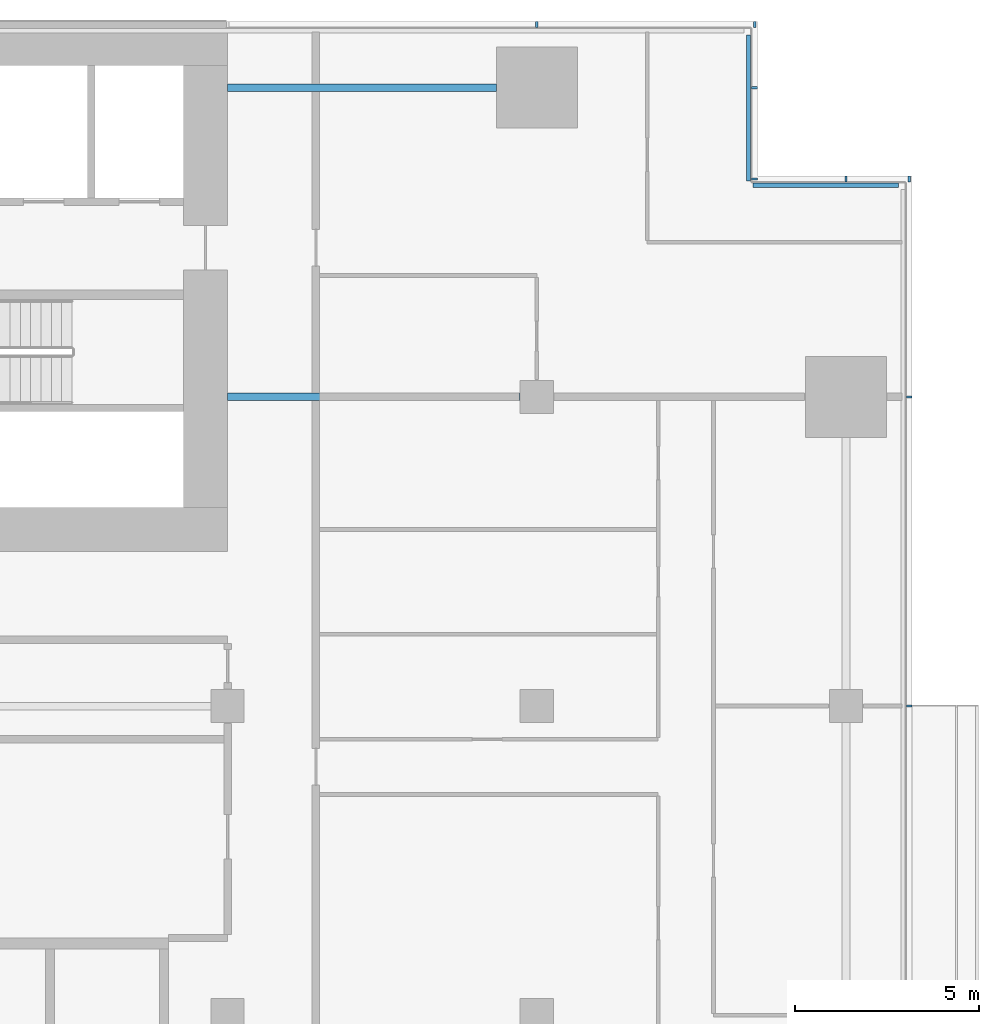
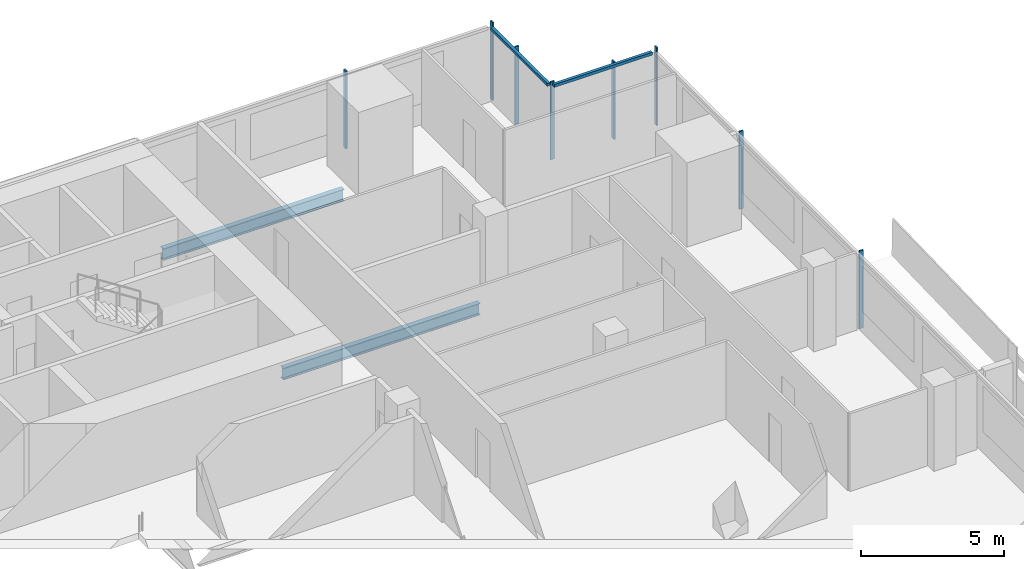
# One storey, part 13 of 25: 10 members, 2 beams, 4 elements without a shape of their own.
"""IFC4 building model written with IfcOpenShell, lengths in metres."""

from ifc_helpers import new_model, si_unit, direction, frame, origin, origin_2d, place, context, subcontext, project, spatial, rectangle, i_section, extrude, material, material_profile, profile_set, type_object, element, aggregate, save


model = new_model("IFC4")

# Units and contexts
model_context = context("Model", 3, precision=1e-05, world=origin(), true_north=direction((0.0, 1.0)))
body_context = subcontext(model_context, "Body", "Model", "MODEL_VIEW")
ifc_project = project(units=[si_unit("LENGTHUNIT", "METRE"), si_unit("AREAUNIT", "SQUARE_METRE"), si_unit("VOLUMEUNIT", "CUBIC_METRE"), si_unit("PLANEANGLEUNIT", "RADIAN"), si_unit("MASSUNIT", "GRAM", prefix="KILO")], contexts=[model_context])

# Site, building, storey
site_placement = place(None, origin())
site = spatial("IfcSite", under=ifc_project, at=site_placement, CompositionType="ELEMENT")
building_placement = place(site_placement, origin())
building = spatial("IfcBuilding", under=site, at=building_placement, Name="Saffron Gate Tower", CompositionType="ELEMENT")
storey_placement = place(building_placement, frame((0.0, 0.0, 73.199951171875)))
storey = spatial("IfcBuildingStorey", under=building, at=storey_placement, Name="L17", CompositionType="ELEMENT", Elevation=73.199951171875)

# Beams
ifc_material_1 = material(Name="Structural steel S355", Category="steel")
ifc_material_profile_1 = material_profile(ifc_material_1, i_section(OverallWidth=0.199951171875, OverallDepth=0.5, WebThickness=0.01025390625, FlangeThickness=0.01611328125, FilletRadius=0.02099609375, at=origin_2d()))
ifc_profile_set_1 = profile_set([ifc_material_profile_1], Name="Structural steel S355")
beam_type = type_object("IfcBeamType", Name="B10 IPE 500", PredefinedType="BEAM", material=ifc_profile_set_1)
beam_1_placement = place(storey_placement, frame((116.550048828125, 65.39990234375, -0.530029296875), z_axis=(-1.0, 0.0, 0.0), x_axis=(0.0, -1.0, 0.0)))
element("IfcBeam", 1, at=beam_1_placement, inside=storey, type_object=beam_type, Name="B10 CORE TIE BEAM", PredefinedType="BEAM", context=body_context, shape_type="SweptSolid", body=[
    extrude(i_section(OverallWidth=0.199951171875, OverallDepth=0.5, WebThickness=0.01025390625, FlangeThickness=0.01611328125, FilletRadius=0.02099609375, at=origin_2d()), origin(), (0.0, 0.0, 1.0), 7.949951171875),
])
beam_2_placement = place(storey_placement, frame((115.89990234375, 73.800048828125, -0.530029296875), z_axis=(-1.0, 0.0, 0.0), x_axis=(0.0, -1.0, 0.0)))
element("IfcBeam", 2, at=beam_2_placement, inside=storey, type_object=beam_type, Name="B10 CORE TIE BEAM", PredefinedType="BEAM", context=body_context, shape_type="SweptSolid", body=[
    extrude(i_section(OverallWidth=0.199951171875, OverallDepth=0.5, WebThickness=0.01025390625, FlangeThickness=0.01611328125, FilletRadius=0.02099609375, at=origin_2d()), origin(), (0.0, 0.0, 1.0), 7.2998046875),
])

# Curtain wall, members
ifc_material_2 = material(Name="Aluminium, bronze anodised", Category="aluminium")
curtain_wall_type_1 = type_object("IfcCurtainWallType", Name="CWS2 curtain wall side facades", PredefinedType="NOTDEFINED", material=ifc_material_2)
curtain_wall_1_placement = place(storey_placement, origin())
curtain_wall_1 = element("IfcCurtainWall", 3, at=curtain_wall_1_placement, inside=storey, type_object=curtain_wall_type_1, Name="CWS2 run 4", PredefinedType="NOTDEFINED")
ifc_material_profile_2 = material_profile(ifc_material_2, rectangle(XDim=0.159912109375, YDim=0.06005859375, at=origin_2d()))
ifc_profile_set_2 = profile_set([ifc_material_profile_2], Name="Aluminium, bronze anodised")
member_type_1 = type_object("IfcMemberType", Name="CWS2 mullion 60x160", PredefinedType="MULLION", material=ifc_profile_set_2)
member_1_placement = place(storey_placement, frame((127.1201171875, 57.0, 0.0), z_axis=(0.0, 0.0, 1.0), x_axis=(-1.0, 0.0, 0.0)))
member_1 = element("IfcMember", 4, at=member_1_placement, type_object=member_type_1, Name="CWS2 mullion 4", PredefinedType="MULLION", context=body_context, shape_type="SweptSolid", body=[
    extrude(rectangle(XDim=0.159912109375, YDim=0.06005859375, at=origin_2d()), origin(), (0.0, 0.0, 1.0), 3.320068359375),
])
member_2_placement = place(storey_placement, frame((127.1201171875, 65.39990234375, 0.0), z_axis=(0.0, 0.0, 1.0), x_axis=(-1.0, 0.0, 0.0)))
member_2 = element("IfcMember", 5, at=member_2_placement, type_object=member_type_1, Name="CWS2 mullion 5", PredefinedType="MULLION", context=body_context, shape_type="SweptSolid", body=[
    extrude(rectangle(XDim=0.159912109375, YDim=0.06005859375, at=origin_2d()), origin(), (0.0, 0.0, 1.0), 3.320068359375),
])
aggregate(curtain_wall_1, [member_1, member_2])

curtain_wall_type_2 = type_object("IfcCurtainWallType", Name="CWS3 curtain wall rear facade", PredefinedType="NOTDEFINED", material=ifc_material_2)
curtain_wall_2_placement = place(storey_placement, origin())
curtain_wall_2 = element("IfcCurtainWall", 6, at=curtain_wall_2_placement, inside=storey, type_object=curtain_wall_type_2, Name="CWS3 run 7", PredefinedType="NOTDEFINED")
ifc_material_profile_3 = material_profile(ifc_material_2, rectangle(XDim=0.159912109375, YDim=0.070068359375, at=origin_2d()))
ifc_profile_set_3 = profile_set([ifc_material_profile_3], Name="Aluminium, bronze anodised")
member_type_2 = type_object("IfcMemberType", Name="CWS3 mullion 70x160", PredefinedType="MULLION", material=ifc_profile_set_3)
member_3_placement = place(storey_placement, frame((122.919921875, 75.52001953125, 0.0), z_axis=(0.0, 0.0, 1.0), x_axis=(0.0, -1.0, 0.0)))
member_3 = element("IfcMember", 7, at=member_3_placement, type_object=member_type_2, Name="CWS3 mullion 1", PredefinedType="MULLION", context=body_context, shape_type="SweptSolid", body=[
    extrude(rectangle(XDim=0.159912109375, YDim=0.070068359375, at=origin_2d()), origin(), (0.0, 0.0, 1.0), 3.320068359375),
])
member_4_placement = place(storey_placement, frame((117.0, 75.52001953125, 0.0), z_axis=(0.0, 0.0, 1.0), x_axis=(0.0, -1.0, 0.0)))
member_4 = element("IfcMember", 8, at=member_4_placement, type_object=member_type_2, Name="CWS3 mullion 2", PredefinedType="MULLION", context=body_context, shape_type="SweptSolid", body=[
    extrude(rectangle(XDim=0.159912109375, YDim=0.070068359375, at=origin_2d()), origin(), (0.0, 0.0, 1.0), 3.320068359375),
])
aggregate(curtain_wall_2, [member_3, member_4])

# Curtain wall, member
curtain_wall_type_3 = type_object("IfcCurtainWallType", Name="CWS4 curtain wall corner returns", PredefinedType="NOTDEFINED", material=ifc_material_2)
curtain_wall_3_placement = place(storey_placement, origin())
curtain_wall_3 = element("IfcCurtainWall", 9, at=curtain_wall_3_placement, inside=storey, type_object=curtain_wall_type_3, Name="CWS4 run 5", PredefinedType="NOTDEFINED")
ifc_material_profile_4 = material_profile(ifc_material_2, rectangle(XDim=0.1201171875, YDim=0.1201171875, at=origin_2d()))
ifc_profile_set_4 = profile_set([ifc_material_profile_4], Name="Aluminium, bronze anodised")
member_type_3 = type_object("IfcMemberType", Name="CWS4 head transom", PredefinedType="USERDEFINED", material=ifc_profile_set_4)
member_5_placement = place(storey_placement, frame((126.83203125, 71.152099609375, 3.260009765625), z_axis=(-1.0, 0.0, 0.0), x_axis=(0.0, -1.0, 0.0)))
member_5 = element("IfcMember", 10, at=member_5_placement, type_object=member_type_3, Name="CWS4 head transom", ObjectType="TRANSOM", PredefinedType="USERDEFINED", context=body_context, shape_type="SweptSolid", body=[
    extrude(rectangle(XDim=0.1201171875, YDim=0.1201171875, at=origin_2d()), origin(), (0.0, 0.0, 1.0), 3.9599609375),
])

curtain_wall_4_placement = place(storey_placement, origin())
curtain_wall_4 = element("IfcCurtainWall", 11, at=curtain_wall_4_placement, inside=storey, type_object=curtain_wall_type_3, Name="CWS4 run 6", PredefinedType="NOTDEFINED")
member_6_placement = place(storey_placement, frame((122.751953125, 71.27197265625, 3.260009765625), z_axis=(0.0, 1.0, 0.0), x_axis=(-1.0, 0.0, 0.0)))
member_6 = element("IfcMember", 12, at=member_6_placement, type_object=member_type_3, Name="CWS4 head transom", ObjectType="TRANSOM", PredefinedType="USERDEFINED", context=body_context, shape_type="SweptSolid", body=[
    extrude(rectangle(XDim=0.1201171875, YDim=0.1201171875, at=origin_2d()), origin(), (0.0, 0.0, 1.0), 3.9599609375),
])

# Member
ifc_material_profile_5 = material_profile(ifc_material_2, rectangle(XDim=0.159912109375, YDim=0.06005859375, at=origin_2d()))
ifc_profile_set_5 = profile_set([ifc_material_profile_5], Name="Aluminium, bronze anodised")
member_type_4 = type_object("IfcMemberType", Name="CWS4 mullion 60x160", PredefinedType="MULLION", material=ifc_profile_set_5)
member_7_placement = place(storey_placement, frame((127.1201171875, 71.320068359375, 0.0), z_axis=(0.0, 0.0, 1.0), x_axis=(0.0, -1.0, 0.0)))
member_7 = element("IfcMember", 13, at=member_7_placement, type_object=member_type_4, Name="CWS4 mullion 1", PredefinedType="MULLION", context=body_context, shape_type="SweptSolid", body=[
    extrude(rectangle(XDim=0.159912109375, YDim=0.06005859375, at=origin_2d()), origin(), (0.0, 0.0, 1.0), 3.320068359375),
])

member_8_placement = place(storey_placement, frame((125.39990234375, 71.320068359375, 0.0), z_axis=(0.0, 0.0, 1.0), x_axis=(0.0, -1.0, 0.0)))
member_8 = element("IfcMember", 14, at=member_8_placement, type_object=member_type_4, Name="CWS4 mullion 2", PredefinedType="MULLION", context=body_context, shape_type="SweptSolid", body=[
    extrude(rectangle(XDim=0.159912109375, YDim=0.06005859375, at=origin_2d()), origin(), (0.0, 0.0, 1.0), 3.320068359375),
])

aggregate(curtain_wall_3, [member_7, member_8, member_5])

member_9_placement = place(storey_placement, frame((122.919921875, 71.320068359375, 0.0), z_axis=(0.0, 0.0, 1.0), x_axis=(-1.0, 0.0, 0.0)))
member_9 = element("IfcMember", 15, at=member_9_placement, type_object=member_type_4, Name="CWS4 mullion 1", PredefinedType="MULLION", context=body_context, shape_type="SweptSolid", body=[
    extrude(rectangle(XDim=0.159912109375, YDim=0.06005859375, at=origin_2d()), origin(), (0.0, 0.0, 1.0), 3.320068359375),
])

member_10_placement = place(storey_placement, frame((122.919921875, 73.800048828125, 0.0), z_axis=(0.0, 0.0, 1.0), x_axis=(-1.0, 0.0, 0.0)))
member_10 = element("IfcMember", 16, at=member_10_placement, type_object=member_type_4, Name="CWS4 mullion 2", PredefinedType="MULLION", context=body_context, shape_type="SweptSolid", body=[
    extrude(rectangle(XDim=0.159912109375, YDim=0.06005859375, at=origin_2d()), origin(), (0.0, 0.0, 1.0), 3.320068359375),
])

aggregate(curtain_wall_4, [member_9, member_10, member_6])

save(model, "model.ifc")
